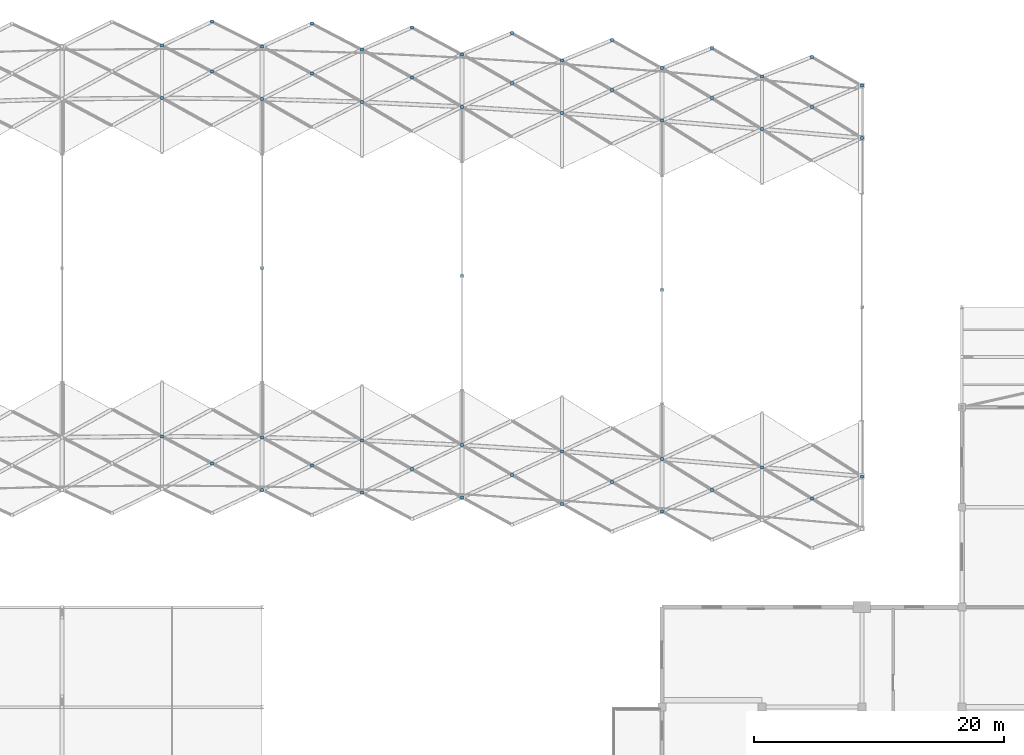
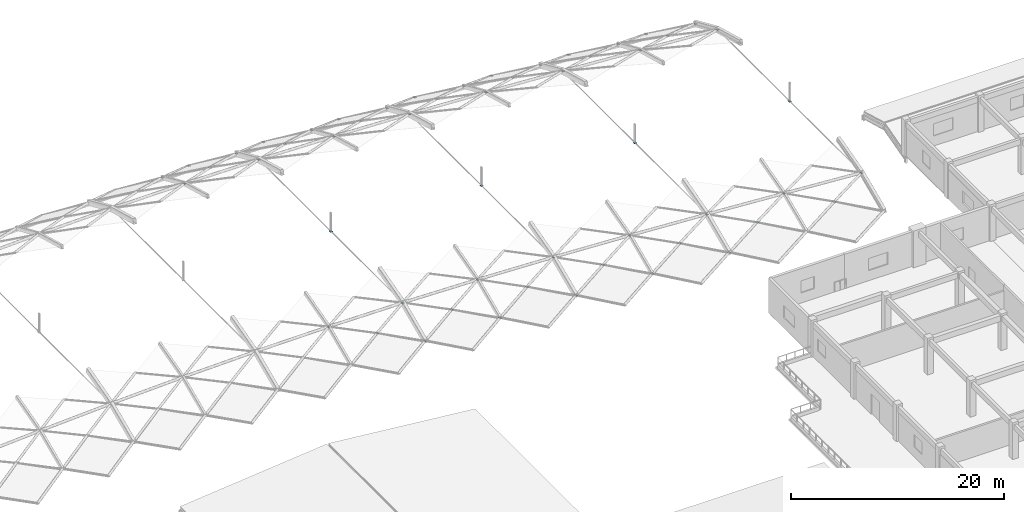
# One storey, part 47 of 54: 54 discrete accessories.
"""IFC4 building model written with IfcOpenShell, lengths in metres."""

from ifc_helpers import new_model, si_unit, direction, frame, origin, origin_2d, place, context, subcontext, project, spatial, rectangle, extrude, material, type_object, element, save


model = new_model("IFC4")

# Units and contexts
model_context = context("Model", 3, precision=1e-05, world=origin(), true_north=direction((0.0, 1.0)))
body_context = subcontext(model_context, "Body", "Model", "MODEL_VIEW")
ifc_project = project(units=[si_unit("LENGTHUNIT", "METRE"), si_unit("AREAUNIT", "SQUARE_METRE"), si_unit("VOLUMEUNIT", "CUBIC_METRE"), si_unit("PLANEANGLEUNIT", "RADIAN"), si_unit("MASSUNIT", "GRAM", prefix="KILO")], contexts=[model_context])

# Site, building, storey
site_placement = place(None, origin())
site = spatial("IfcSite", under=ifc_project, at=site_placement, CompositionType="ELEMENT")
building_placement = place(site_placement, origin())
building = spatial("IfcBuilding", under=site, at=building_placement, Name="Kenh Van Central Station", CompositionType="ELEMENT")
storey_placement = place(building_placement, frame((0.0, 0.0, 15.0)))
storey = spatial("IfcBuildingStorey", under=building, at=storey_placement, Name="L03", CompositionType="ELEMENT", Elevation=15.0)

# Discrete accessories
ifc_material = material(Name="White fluoropolymer structural steel S355", Category="steel")
discrete_accessory_type = type_object("IfcDiscreteAccessoryType", Name="ACC-END-NODE-VLT", PredefinedType="BRACKET", material=ifc_material)
for number, where, z_axis, x_axis, name in (
    (1, (88.0, 77.665771484375, 4.056640625), (0.0, 0.0, 1.0), (1.0, 0.0, 0.0), "L03 brace end connection node plate 0149"),
    (2, (88.0, 104.734375, 4.056640625), (0.0, 0.0, 1.0), (1.0, 0.0, 0.0), "L03 brace end connection node plate 0155"),
    (3, (88.0, 108.9306640625, 2.216064453125), (0.0, 0.0, 1.0), (1.0, 0.0, 0.0), "L03 brace end connection node plate 0156"),
    (4, (92.0, 75.508544921875, 3.224609375), (0.0, 0.0, 1.0), (1.0, 0.0, 0.0), "L03 brace end connection node plate 0158"),
    (5, (92.0, 106.851318359375, 3.224609375), (0.0, 0.0, 1.0), (1.0, 0.0, 0.0), "L03 brace end connection node plate 0165"),
    (6, (92.0, 110.855712890625, 1.0029296875), (0.0, 0.0, 1.0), (1.0, 0.0, 0.0), "L03 brace end connection node plate 0167"),
    (7, (96.0, 73.38916015625, 2.216064453125), (0.0, 0.0, 1.0), (1.0, 0.0, 0.0), "L03 brace end connection node plate 0169"),
    (8, (96.0, 77.58544921875, 4.056640625), (0.0, 0.0, 1.0), (1.0, 0.0, 0.0), "L03 brace end connection node plate 0170"),
    (9, (96.0, 104.654052734375, 4.056640625), (0.0, 0.0, 1.0), (1.0, 0.0, 0.0), "L03 brace end connection node plate 0176"),
    (10, (96.0, 108.850341796875, 2.216064453125), (0.0, 0.0, 1.0), (1.0, 0.0, 0.0), "L03 brace end connection node plate 0177"),
    (11, (100.0, 75.34912109375, 3.224609375), (0.0, 0.0, 1.0), (1.0, 0.0, 0.0), "L03 brace end connection node plate 0179"),
    (12, (100.0, 106.691650390625, 3.224609375), (0.0, 0.0, 1.0), (1.0, 0.0, 0.0), "L03 brace end connection node plate 0186"),
    (13, (100.0, 110.6962890625, 1.0029296875), (0.0, 0.0, 1.0), (1.0, 0.0, 0.0), "L03 brace end connection node plate 0188"),
    (14, (104.0, 73.152587890625, 2.216064453125), (0.0, 0.0, 1.0), (1.0, 0.0, 0.0), "L03 brace end connection node plate 0190"),
    (15, (104.0, 77.348876953125, 4.056640625), (0.0, 0.0, 1.0), (1.0, 0.0, 0.0), "L03 brace end connection node plate 0191"),
    (16, (104.0, 104.41748046875, 4.056640625), (0.0, 0.0, 1.0), (1.0, 0.0, 0.0), "L03 brace end connection node plate 0197"),
    (17, (104.0, 108.61376953125, 2.216064453125), (0.0, 0.0, 1.0), (1.0, 0.0, 0.0), "L03 brace end connection node plate 0198"),
    (18, (108.0, 75.0380859375, 3.224609375), (0.0, 0.0, 1.0), (1.0, 0.0, 0.0), "L03 brace end connection node plate 0200"),
    (19, (108.0, 106.380859375, 3.224609375), (0.0, 0.0, 1.0), (1.0, 0.0, 0.0), "L03 brace end connection node plate 0207"),
    (20, (108.0, 110.385498046875, 1.0029296875), (0.0, 0.0, 1.0), (1.0, 0.0, 0.0), "L03 brace end connection node plate 0209"),
    (21, (112.0, 72.771240234375, 2.216064453125), (0.0, 0.0, 1.0), (1.0, 0.0, 0.0), "L03 brace end connection node plate 0211"),
    (22, (112.0, 76.967529296875, 4.056640625), (0.0, 0.0, 1.0), (1.0, 0.0, 0.0), "L03 brace end connection node plate 0212"),
    (23, (112.0, 104.0361328125, 4.056640625), (0.0, 0.0, 1.0), (1.0, 0.0, 0.0), "L03 brace end connection node plate 0218"),
    (24, (112.0, 108.232421875, 2.216064453125), (0.0, 0.0, 1.0), (1.0, 0.0, 0.0), "L03 brace end connection node plate 0219"),
    (25, (116.0, 74.59130859375, 3.224609375), (0.0, 0.0, 1.0), (1.0, 0.0, 0.0), "L03 brace end connection node plate 0221"),
    (26, (116.0, 105.93408203125, 3.224609375), (0.0, 0.0, 1.0), (1.0, 0.0, 0.0), "L03 brace end connection node plate 0228"),
    (27, (116.0, 109.938720703125, 1.0029296875), (0.0, 0.0, 1.0), (1.0, 0.0, 0.0), "L03 brace end connection node plate 0230"),
    (28, (120.0, 72.2646484375, 2.216064453125), (0.0, 0.0, 1.0), (1.0, 0.0, 0.0), "L03 brace end connection node plate 0232"),
    (29, (120.0, 76.4609375, 4.056640625), (0.0, 0.0, 1.0), (1.0, 0.0, 0.0), "L03 brace end connection node plate 0233"),
    (30, (120.0, 103.529541015625, 4.056640625), (0.0, 0.0, 1.0), (1.0, 0.0, 0.0), "L03 brace end connection node plate 0239"),
    (31, (120.0, 107.725830078125, 2.216064453125), (0.0, 0.0, 1.0), (1.0, 0.0, 0.0), "L03 brace end connection node plate 0240"),
    (32, (124.0, 74.03125, 3.224609375), (0.0, 0.0, 1.0), (1.0, 0.0, 0.0), "L03 brace end connection node plate 0242"),
    (33, (124.0, 105.373779296875, 3.224609375), (0.0, 0.0, 1.0), (1.0, 0.0, 0.0), "L03 brace end connection node plate 0249"),
    (34, (124.0, 109.37841796875, 1.0029296875), (0.0, 0.0, 1.0), (1.0, 0.0, 0.0), "L03 brace end connection node plate 0251"),
    (35, (128.0, 71.65771484375, 2.216064453125), (0.0, 0.0, 1.0), (1.0, 0.0, 0.0), "L03 brace end connection node plate 0253"),
    (36, (128.0, 75.85400390625, 4.056640625), (0.0, 0.0, 1.0), (1.0, 0.0, 0.0), "L03 brace end connection node plate 0254"),
    (37, (128.0, 102.922607421875, 4.056640625), (0.0, 0.0, 1.0), (1.0, 0.0, 0.0), "L03 brace end connection node plate 0260"),
    (38, (128.0, 107.118896484375, 2.216064453125), (0.0, 0.0, 1.0), (1.0, 0.0, 0.0), "L03 brace end connection node plate 0261"),
    (39, (132.0, 73.385498046875, 3.224609375), (0.0, 0.0, 1.0), (1.0, 0.0, 0.0), "L03 brace end connection node plate 0263"),
    (40, (132.0, 104.728271484375, 3.224609375), (0.0, 0.0, 1.0), (1.0, 0.0, 0.0), "L03 brace end connection node plate 0270"),
    (41, (132.0, 108.73291015625, 1.0029296875), (0.0, 0.0, 1.0), (1.0, 0.0, 0.0), "L03 brace end connection node plate 0272"),
    (42, (136.0, 75.177734375, 4.056640625), (0.0, 0.0, 1.0), (1.0, 0.0, 0.0), "L03 brace end connection node plate 0275"),
    (43, (136.0, 102.246337890625, 4.056640625), (0.0, 0.0, 1.0), (1.0, 0.0, 0.0), "L03 brace end connection node plate 0281"),
    (44, (136.0, 106.442626953125, 2.216064453125), (0.0, 0.0, 1.0), (1.0, 0.0, 0.0), "L03 brace end connection node plate 0282"),
    (45, (140.0, 72.68701171875, 3.224609375), (0.0, 0.0, 1.0), (1.0, 0.0, 0.0), "L03 brace end connection node plate 0284"),
    (46, (140.0, 104.029541015625, 3.224609375), (0.0, 0.0, 1.0), (1.0, 0.0, 0.0), "L03 brace end connection node plate 0291"),
    (47, (140.0, 108.0341796875, 1.0029296875), (0.0, 0.0, 1.0), (1.0, 0.0, 0.0), "L03 brace end connection node plate 0293"),
    (48, (144.0, 74.4658203125, 4.056640625), (0.0, 0.0, 1.0), (1.0, 0.0, 0.0), "L03 brace end connection node plate 0296"),
    (49, (144.0, 101.5341796875, 4.056640625), (0.0, 0.0, 1.0), (1.0, 0.0, 0.0), "L03 brace end connection node plate 0302"),
    (50, (144.0, 105.730712890625, 2.216064453125), (0.0, 0.0, 1.0), (1.0, 0.0, 0.0), "L03 brace end connection node plate 0303"),
    (51, (96.0, 91.119873046875, 4.056640625), (0.0, 0.0, 1.0), (1.0, 0.0, 0.0), "L03 brace end connection node plate 0308"),
    (52, (112.0, 90.501953125, 4.056640625), (0.0, 0.0, 1.0), (1.0, 0.0, 0.0), "L03 brace end connection node plate 0309"),
    (53, (128.0, 89.388427734375, 4.056640625), (0.0, 0.0, 1.0), (1.0, 0.0, 0.0), "L03 brace end connection node plate 0310"),
    (54, (144.0, 88.0, 4.056640625), (0.0, 0.0, 1.0), (1.0, 0.0, 0.0), "L03 brace end connection node plate 0311"),
):
    element("IfcDiscreteAccessory", number, at=place(storey_placement, frame(where, z_axis=z_axis, x_axis=x_axis)), inside=storey, type_object=discrete_accessory_type, Name=name, PredefinedType="BRACKET", context=body_context, shape_type="SweptSolid", body=[
        extrude(rectangle(XDim=0.239990234375, YDim=0.239990234375, at=origin_2d()), origin(), (0.0, 0.0, 1.0), 0.02490234375),
    ])

save(model, "model.ifc")
